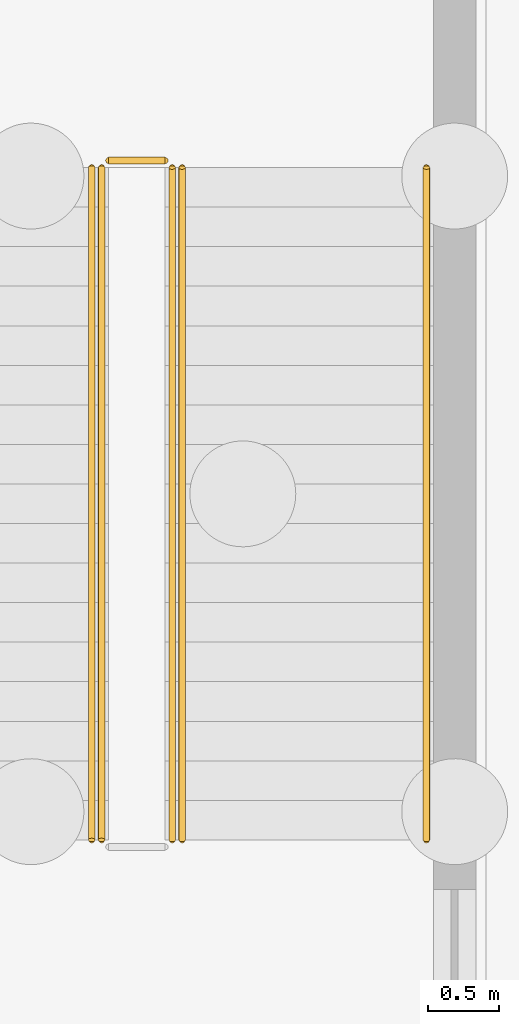
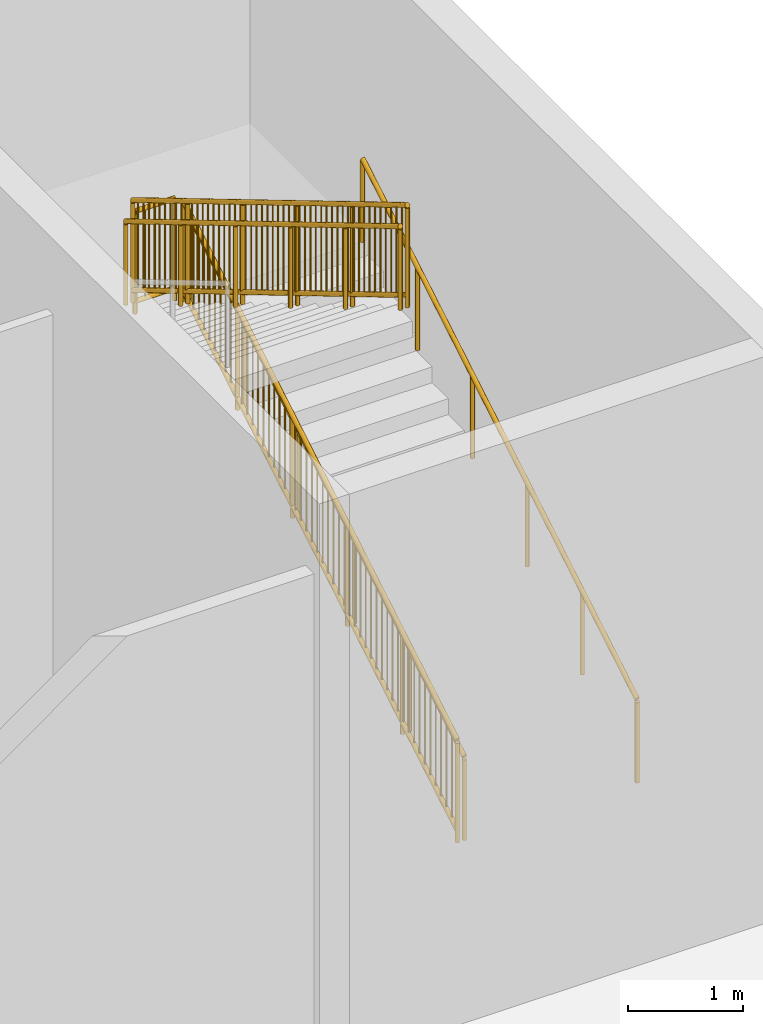
# One storey, part 101 of 106: 6 railings.
"""IFC4 building model written with IfcOpenShell, lengths in metres."""

from ifc_helpers import new_model, si_unit, direction, frame, origin, origin_2d, place, context, subcontext, project, spatial, circle, extrude, material, type_object, element, save


model = new_model("IFC4")

# Units and contexts
model_context = context("Model", 3, precision=1e-05, world=origin(), true_north=direction((0.0, 1.0)))
body_context = subcontext(model_context, "Body", "Model", "MODEL_VIEW")
ifc_project = project(units=[si_unit("LENGTHUNIT", "METRE"), si_unit("AREAUNIT", "SQUARE_METRE"), si_unit("VOLUMEUNIT", "CUBIC_METRE"), si_unit("PLANEANGLEUNIT", "RADIAN"), si_unit("MASSUNIT", "GRAM", prefix="KILO")], contexts=[model_context])

# Site, building, storey
site_placement = place(None, origin())
site = spatial("IfcSite", under=ifc_project, at=site_placement, CompositionType="ELEMENT")
building_placement = place(site_placement, origin())
building = spatial("IfcBuilding", under=site, at=building_placement, Name="Hortulan Conservatory and Botanical Research Centre", CompositionType="ELEMENT")
storey_placement = place(building_placement, origin())
storey = spatial("IfcBuildingStorey", under=building, at=storey_placement, Name="L00", CompositionType="ELEMENT", Elevation=0.0)

# Railings
ifc_material_1 = material(Name="Steel balustrade, bronze-charcoal paint", Category="steel")
railing_type_1 = type_object("IfcRailingType", Name="Stair Guard 1100", PredefinedType="GUARDRAIL", material=ifc_material_1)
railing_1_placement = place(storey_placement, frame((106.0, 65.050048828125, 0.166748046875)))
element("IfcRailing", 1, at=railing_1_placement, inside=storey, type_object=railing_type_1, Name="Guard A3 L00 stair 1", PredefinedType="GUARDRAIL", context=body_context, shape_type="SweptSolid", body=[
    extrude(circle(Radius=0.02392578125, at=origin_2d()), frame((0.0, 0.0, 1.076171875), z_axis=(0.0, 0.859299802514, 0.511472237174), x_axis=(-1.0, 0.0, 0.0)), (0.0, 0.0, 1.0), 5.539306640625),
    extrude(circle(Radius=0.02392578125, at=origin_2d()), frame((0.0, 0.0, 0.1240234375), z_axis=(0.0, 0.859299802514, 0.511472237174), x_axis=(-1.0, 0.0, 0.0)), (0.0, 0.0, 1.0), 5.539306640625),
    extrude(circle(Radius=0.008056640625, at=origin_2d()), frame((0.0, 0.09326171875, 0.203857421875)), (0.0, 0.0, 1.0), 0.90380859375),
    extrude(circle(Radius=0.008056640625, at=origin_2d()), frame((0.0, 0.186767578125, 0.25927734375)), (0.0, 0.0, 1.0), 0.90380859375),
    extrude(circle(Radius=0.008056640625, at=origin_2d()), frame((0.0, 0.280029296875, 0.31494140625)), (0.0, 0.0, 1.0), 0.90380859375),
    extrude(circle(Radius=0.008056640625, at=origin_2d()), frame((0.0, 0.373291015625, 0.370361328125)), (0.0, 0.0, 1.0), 0.90380859375),
    extrude(circle(Radius=0.008056640625, at=origin_2d()), frame((0.0, 0.466552734375, 0.426025390625)), (0.0, 0.0, 1.0), 0.90380859375),
    extrude(circle(Radius=0.008056640625, at=origin_2d()), frame((0.0, 0.56005859375, 0.4814453125)), (0.0, 0.0, 1.0), 0.90380859375),
    extrude(circle(Radius=0.008056640625, at=origin_2d()), frame((0.0, 0.6533203125, 0.537109375)), (0.0, 0.0, 1.0), 0.90380859375),
    extrude(circle(Radius=0.008056640625, at=origin_2d()), frame((0.0, 0.74658203125, 0.592529296875)), (0.0, 0.0, 1.0), 0.90380859375),
    extrude(circle(Radius=0.008056640625, at=origin_2d()), frame((0.0, 0.840087890625, 0.648193359375)), (0.0, 0.0, 1.0), 0.90380859375),
    extrude(circle(Radius=0.008056640625, at=origin_2d()), frame((0.0, 0.933349609375, 0.70361328125)), (0.0, 0.0, 1.0), 0.90380859375),
    extrude(circle(Radius=0.008056640625, at=origin_2d()), frame((0.0, 1.026611328125, 0.75927734375)), (0.0, 0.0, 1.0), 0.90380859375),
    extrude(circle(Radius=0.008056640625, at=origin_2d()), frame((0.0, 1.1201171875, 0.81494140625)), (0.0, 0.0, 1.0), 0.90380859375),
    extrude(circle(Radius=0.008056640625, at=origin_2d()), frame((0.0, 1.21337890625, 0.870361328125)), (0.0, 0.0, 1.0), 0.90380859375),
    extrude(circle(Radius=0.008056640625, at=origin_2d()), frame((0.0, 1.306640625, 0.926025390625)), (0.0, 0.0, 1.0), 0.90380859375),
    extrude(circle(Radius=0.008056640625, at=origin_2d()), frame((0.0, 1.39990234375, 0.9814453125)), (0.0, 0.0, 1.0), 0.90380859375),
    extrude(circle(Radius=0.008056640625, at=origin_2d()), frame((0.0, 1.493408203125, 1.037109375)), (0.0, 0.0, 1.0), 0.90380859375),
    extrude(circle(Radius=0.008056640625, at=origin_2d()), frame((0.0, 1.586669921875, 1.092529296875)), (0.0, 0.0, 1.0), 0.90380859375),
    extrude(circle(Radius=0.008056640625, at=origin_2d()), frame((0.0, 1.679931640625, 1.148193359375)), (0.0, 0.0, 1.0), 0.90380859375),
    extrude(circle(Radius=0.008056640625, at=origin_2d()), frame((0.0, 1.7734375, 1.20361328125)), (0.0, 0.0, 1.0), 0.90380859375),
    extrude(circle(Radius=0.008056640625, at=origin_2d()), frame((0.0, 1.86669921875, 1.25927734375)), (0.0, 0.0, 1.0), 0.90380859375),
    extrude(circle(Radius=0.008056640625, at=origin_2d()), frame((0.0, 1.9599609375, 1.31494140625)), (0.0, 0.0, 1.0), 0.90380859375),
    extrude(circle(Radius=0.008056640625, at=origin_2d()), frame((0.0, 2.05322265625, 1.370361328125)), (0.0, 0.0, 1.0), 0.90380859375),
    extrude(circle(Radius=0.008056640625, at=origin_2d()), frame((0.0, 2.146728515625, 1.426025390625)), (0.0, 0.0, 1.0), 0.90380859375),
    extrude(circle(Radius=0.008056640625, at=origin_2d()), frame((0.0, 2.239990234375, 1.4814453125)), (0.0, 0.0, 1.0), 0.90380859375),
    extrude(circle(Radius=0.008056640625, at=origin_2d()), frame((0.0, 2.333251953125, 1.537109375)), (0.0, 0.0, 1.0), 0.90380859375),
    extrude(circle(Radius=0.008056640625, at=origin_2d()), frame((0.0, 2.4267578125, 1.592529296875)), (0.0, 0.0, 1.0), 0.90380859375),
    extrude(circle(Radius=0.008056640625, at=origin_2d()), frame((0.0, 2.52001953125, 1.648193359375)), (0.0, 0.0, 1.0), 0.90380859375),
    extrude(circle(Radius=0.008056640625, at=origin_2d()), frame((0.0, 2.61328125, 1.70361328125)), (0.0, 0.0, 1.0), 0.90380859375),
    extrude(circle(Radius=0.008056640625, at=origin_2d()), frame((0.0, 2.706787109375, 1.75927734375)), (0.0, 0.0, 1.0), 0.90380859375),
    extrude(circle(Radius=0.008056640625, at=origin_2d()), frame((0.0, 2.800048828125, 1.814697265625)), (0.0, 0.0, 1.0), 0.90380859375),
    extrude(circle(Radius=0.008056640625, at=origin_2d()), frame((0.0, 2.893310546875, 1.870361328125)), (0.0, 0.0, 1.0), 0.90380859375),
    extrude(circle(Radius=0.008056640625, at=origin_2d()), frame((0.0, 2.986572265625, 1.926025390625)), (0.0, 0.0, 1.0), 0.90380859375),
    extrude(circle(Radius=0.008056640625, at=origin_2d()), frame((0.0, 3.080078125, 1.9814453125)), (0.0, 0.0, 1.0), 0.90380859375),
    extrude(circle(Radius=0.008056640625, at=origin_2d()), frame((0.0, 3.17333984375, 2.037109375)), (0.0, 0.0, 1.0), 0.90380859375),
    extrude(circle(Radius=0.008056640625, at=origin_2d()), frame((0.0, 3.2666015625, 2.092529296875)), (0.0, 0.0, 1.0), 0.90380859375),
    extrude(circle(Radius=0.008056640625, at=origin_2d()), frame((0.0, 3.360107421875, 2.148193359375)), (0.0, 0.0, 1.0), 0.90380859375),
    extrude(circle(Radius=0.008056640625, at=origin_2d()), frame((0.0, 3.453369140625, 2.20361328125)), (0.0, 0.0, 1.0), 0.90380859375),
    extrude(circle(Radius=0.008056640625, at=origin_2d()), frame((0.0, 3.546630859375, 2.25927734375)), (0.0, 0.0, 1.0), 0.90380859375),
    extrude(circle(Radius=0.008056640625, at=origin_2d()), frame((0.0, 3.639892578125, 2.314697265625)), (0.0, 0.0, 1.0), 0.90380859375),
    extrude(circle(Radius=0.008056640625, at=origin_2d()), frame((0.0, 3.7333984375, 2.370361328125)), (0.0, 0.0, 1.0), 0.90380859375),
    extrude(circle(Radius=0.008056640625, at=origin_2d()), frame((0.0, 3.82666015625, 2.426025390625)), (0.0, 0.0, 1.0), 0.90380859375),
    extrude(circle(Radius=0.008056640625, at=origin_2d()), frame((0.0, 3.919921875, 2.4814453125)), (0.0, 0.0, 1.0), 0.90380859375),
    extrude(circle(Radius=0.008056640625, at=origin_2d()), frame((0.0, 4.013427734375, 2.537109375)), (0.0, 0.0, 1.0), 0.90380859375),
    extrude(circle(Radius=0.008056640625, at=origin_2d()), frame((0.0, 4.106689453125, 2.592529296875)), (0.0, 0.0, 1.0), 0.90380859375),
    extrude(circle(Radius=0.008056640625, at=origin_2d()), frame((0.0, 4.199951171875, 2.648193359375)), (0.0, 0.0, 1.0), 0.90380859375),
    extrude(circle(Radius=0.008056640625, at=origin_2d()), frame((0.0, 4.29345703125, 2.70361328125)), (0.0, 0.0, 1.0), 0.90380859375),
    extrude(circle(Radius=0.008056640625, at=origin_2d()), frame((0.0, 4.38671875, 2.75927734375)), (0.0, 0.0, 1.0), 0.90380859375),
    extrude(circle(Radius=0.008056640625, at=origin_2d()), frame((0.0, 4.47998046875, 2.814697265625)), (0.0, 0.0, 1.0), 0.90380859375),
    extrude(circle(Radius=0.008056640625, at=origin_2d()), frame((0.0, 4.5732421875, 2.870361328125)), (0.0, 0.0, 1.0), 0.90380859375),
    extrude(circle(Radius=0.008056640625, at=origin_2d()), frame((0.0, 4.666748046875, 2.92578125)), (0.0, 0.0, 1.0), 0.90380859375),
    extrude(circle(Radius=0.02099609375, at=origin_2d()), origin(), (0.0, 0.0, 1.0), 1.052001953125),
    extrude(circle(Radius=0.02099609375, at=origin_2d()), frame((0.0, 0.951904296875, 0.566650390625)), (0.0, 0.0, 1.0), 1.052001953125),
    extrude(circle(Radius=0.02099609375, at=origin_2d()), frame((0.0, 1.904052734375, 1.13330078125)), (0.0, 0.0, 1.0), 1.052001953125),
    extrude(circle(Radius=0.02099609375, at=origin_2d()), frame((0.0, 2.85595703125, 1.699951171875)), (0.0, 0.0, 1.0), 1.052001953125),
    extrude(circle(Radius=0.02099609375, at=origin_2d()), frame((0.0, 3.80810546875, 2.2666015625)), (0.0, 0.0, 1.0), 1.052001953125),
    extrude(circle(Radius=0.02099609375, at=origin_2d()), frame((0.0, 4.760009765625, 2.833251953125)), (0.0, 0.0, 1.0), 1.052001953125),
])
railing_2_placement = place(storey_placement, frame((105.949951171875, 69.860107421875, 3.0)))
element("IfcRailing", 2, at=railing_2_placement, inside=storey, type_object=railing_type_1, Name="Guard A3 L00 stair 2", PredefinedType="GUARDRAIL", context=body_context, shape_type="SweptSolid", body=[
    extrude(circle(Radius=0.02392578125, at=origin_2d()), frame((0.0, 0.0, 1.076171875), z_axis=(-1.0, 0.0, 0.0), x_axis=(0.0, -1.0, 0.0)), (0.0, 0.0, 1.0), 0.39990234375),
    extrude(circle(Radius=0.02392578125, at=origin_2d()), frame((0.0, 0.0, 0.1240234375), z_axis=(-1.0, 0.0, 0.0), x_axis=(0.0, -1.0, 0.0)), (0.0, 0.0, 1.0), 0.39990234375),
    extrude(circle(Radius=0.008056640625, at=origin_2d()), frame((-0.10009765625, 0.0, 0.148193359375)), (0.0, 0.0, 1.0), 0.90380859375),
    extrude(circle(Radius=0.008056640625, at=origin_2d()), frame((-0.199951171875, 0.0, 0.148193359375)), (0.0, 0.0, 1.0), 0.90380859375),
    extrude(circle(Radius=0.008056640625, at=origin_2d()), frame((-0.2998046875, 0.0, 0.148193359375)), (0.0, 0.0, 1.0), 0.90380859375),
    extrude(circle(Radius=0.02099609375, at=origin_2d()), origin(), (0.0, 0.0, 1.0), 1.052001953125),
    extrude(circle(Radius=0.02099609375, at=origin_2d()), frame((-0.39990234375, 0.0, 0.0)), (0.0, 0.0, 1.0), 1.052001953125),
])
railing_3_placement = place(storey_placement, frame((105.5, 69.81005859375, 3.166748046875)))
element("IfcRailing", 3, at=railing_3_placement, inside=storey, type_object=railing_type_1, Name="Guard A3 L00 stair 3", PredefinedType="GUARDRAIL", context=body_context, shape_type="SweptSolid", body=[
    extrude(circle(Radius=0.02392578125, at=origin_2d()), frame((0.0, 0.0, 1.076171875), z_axis=(0.0, -0.859299802514, 0.511472237174), x_axis=(1.0, 0.0, 0.0)), (0.0, 0.0, 1.0), 5.539306640625),
    extrude(circle(Radius=0.02392578125, at=origin_2d()), frame((0.0, 0.0, 0.1240234375), z_axis=(0.0, -0.859299802514, 0.511472237174), x_axis=(1.0, 0.0, 0.0)), (0.0, 0.0, 1.0), 5.539306640625),
    extrude(circle(Radius=0.008056640625, at=origin_2d()), frame((0.0, -0.09326171875, 0.203857421875)), (0.0, 0.0, 1.0), 0.90380859375),
    extrude(circle(Radius=0.008056640625, at=origin_2d()), frame((0.0, -0.186767578125, 0.25927734375)), (0.0, 0.0, 1.0), 0.90380859375),
    extrude(circle(Radius=0.008056640625, at=origin_2d()), frame((0.0, -0.280029296875, 0.31494140625)), (0.0, 0.0, 1.0), 0.90380859375),
    extrude(circle(Radius=0.008056640625, at=origin_2d()), frame((0.0, -0.373291015625, 0.370361328125)), (0.0, 0.0, 1.0), 0.90380859375),
    extrude(circle(Radius=0.008056640625, at=origin_2d()), frame((0.0, -0.466552734375, 0.426025390625)), (0.0, 0.0, 1.0), 0.90380859375),
    extrude(circle(Radius=0.008056640625, at=origin_2d()), frame((0.0, -0.56005859375, 0.4814453125)), (0.0, 0.0, 1.0), 0.90380859375),
    extrude(circle(Radius=0.008056640625, at=origin_2d()), frame((0.0, -0.6533203125, 0.537109375)), (0.0, 0.0, 1.0), 0.90380859375),
    extrude(circle(Radius=0.008056640625, at=origin_2d()), frame((0.0, -0.74658203125, 0.592529296875)), (0.0, 0.0, 1.0), 0.90380859375),
    extrude(circle(Radius=0.008056640625, at=origin_2d()), frame((0.0, -0.840087890625, 0.648193359375)), (0.0, 0.0, 1.0), 0.90380859375),
    extrude(circle(Radius=0.008056640625, at=origin_2d()), frame((0.0, -0.933349609375, 0.70361328125)), (0.0, 0.0, 1.0), 0.90380859375),
    extrude(circle(Radius=0.008056640625, at=origin_2d()), frame((0.0, -1.026611328125, 0.75927734375)), (0.0, 0.0, 1.0), 0.90380859375),
    extrude(circle(Radius=0.008056640625, at=origin_2d()), frame((0.0, -1.1201171875, 0.81494140625)), (0.0, 0.0, 1.0), 0.90380859375),
    extrude(circle(Radius=0.008056640625, at=origin_2d()), frame((0.0, -1.21337890625, 0.870361328125)), (0.0, 0.0, 1.0), 0.90380859375),
    extrude(circle(Radius=0.008056640625, at=origin_2d()), frame((0.0, -1.306640625, 0.926025390625)), (0.0, 0.0, 1.0), 0.90380859375),
    extrude(circle(Radius=0.008056640625, at=origin_2d()), frame((0.0, -1.39990234375, 0.9814453125)), (0.0, 0.0, 1.0), 0.90380859375),
    extrude(circle(Radius=0.008056640625, at=origin_2d()), frame((0.0, -1.493408203125, 1.037109375)), (0.0, 0.0, 1.0), 0.90380859375),
    extrude(circle(Radius=0.008056640625, at=origin_2d()), frame((0.0, -1.586669921875, 1.092529296875)), (0.0, 0.0, 1.0), 0.90380859375),
    extrude(circle(Radius=0.008056640625, at=origin_2d()), frame((0.0, -1.679931640625, 1.148193359375)), (0.0, 0.0, 1.0), 0.90380859375),
    extrude(circle(Radius=0.008056640625, at=origin_2d()), frame((0.0, -1.7734375, 1.20361328125)), (0.0, 0.0, 1.0), 0.90380859375),
    extrude(circle(Radius=0.008056640625, at=origin_2d()), frame((0.0, -1.86669921875, 1.25927734375)), (0.0, 0.0, 1.0), 0.90380859375),
    extrude(circle(Radius=0.008056640625, at=origin_2d()), frame((0.0, -1.9599609375, 1.31494140625)), (0.0, 0.0, 1.0), 0.90380859375),
    extrude(circle(Radius=0.008056640625, at=origin_2d()), frame((0.0, -2.05322265625, 1.370361328125)), (0.0, 0.0, 1.0), 0.90380859375),
    extrude(circle(Radius=0.008056640625, at=origin_2d()), frame((0.0, -2.146728515625, 1.426025390625)), (0.0, 0.0, 1.0), 0.90380859375),
    extrude(circle(Radius=0.008056640625, at=origin_2d()), frame((0.0, -2.239990234375, 1.4814453125)), (0.0, 0.0, 1.0), 0.90380859375),
    extrude(circle(Radius=0.008056640625, at=origin_2d()), frame((0.0, -2.333251953125, 1.537109375)), (0.0, 0.0, 1.0), 0.90380859375),
    extrude(circle(Radius=0.008056640625, at=origin_2d()), frame((0.0, -2.4267578125, 1.592529296875)), (0.0, 0.0, 1.0), 0.90380859375),
    extrude(circle(Radius=0.008056640625, at=origin_2d()), frame((0.0, -2.52001953125, 1.648193359375)), (0.0, 0.0, 1.0), 0.90380859375),
    extrude(circle(Radius=0.008056640625, at=origin_2d()), frame((0.0, -2.61328125, 1.70361328125)), (0.0, 0.0, 1.0), 0.90380859375),
    extrude(circle(Radius=0.008056640625, at=origin_2d()), frame((0.0, -2.706787109375, 1.75927734375)), (0.0, 0.0, 1.0), 0.90380859375),
    extrude(circle(Radius=0.008056640625, at=origin_2d()), frame((0.0, -2.800048828125, 1.814697265625)), (0.0, 0.0, 1.0), 0.90380859375),
    extrude(circle(Radius=0.008056640625, at=origin_2d()), frame((0.0, -2.893310546875, 1.870361328125)), (0.0, 0.0, 1.0), 0.90380859375),
    extrude(circle(Radius=0.008056640625, at=origin_2d()), frame((0.0, -2.986572265625, 1.926025390625)), (0.0, 0.0, 1.0), 0.90380859375),
    extrude(circle(Radius=0.008056640625, at=origin_2d()), frame((0.0, -3.080078125, 1.9814453125)), (0.0, 0.0, 1.0), 0.90380859375),
    extrude(circle(Radius=0.008056640625, at=origin_2d()), frame((0.0, -3.17333984375, 2.037109375)), (0.0, 0.0, 1.0), 0.90380859375),
    extrude(circle(Radius=0.008056640625, at=origin_2d()), frame((0.0, -3.2666015625, 2.092529296875)), (0.0, 0.0, 1.0), 0.90380859375),
    extrude(circle(Radius=0.008056640625, at=origin_2d()), frame((0.0, -3.360107421875, 2.148193359375)), (0.0, 0.0, 1.0), 0.90380859375),
    extrude(circle(Radius=0.008056640625, at=origin_2d()), frame((0.0, -3.453369140625, 2.20361328125)), (0.0, 0.0, 1.0), 0.90380859375),
    extrude(circle(Radius=0.008056640625, at=origin_2d()), frame((0.0, -3.546630859375, 2.25927734375)), (0.0, 0.0, 1.0), 0.90380859375),
    extrude(circle(Radius=0.008056640625, at=origin_2d()), frame((0.0, -3.639892578125, 2.314697265625)), (0.0, 0.0, 1.0), 0.90380859375),
    extrude(circle(Radius=0.008056640625, at=origin_2d()), frame((0.0, -3.7333984375, 2.370361328125)), (0.0, 0.0, 1.0), 0.90380859375),
    extrude(circle(Radius=0.008056640625, at=origin_2d()), frame((0.0, -3.82666015625, 2.426025390625)), (0.0, 0.0, 1.0), 0.90380859375),
    extrude(circle(Radius=0.008056640625, at=origin_2d()), frame((0.0, -3.919921875, 2.4814453125)), (0.0, 0.0, 1.0), 0.90380859375),
    extrude(circle(Radius=0.008056640625, at=origin_2d()), frame((0.0, -4.013427734375, 2.537109375)), (0.0, 0.0, 1.0), 0.90380859375),
    extrude(circle(Radius=0.008056640625, at=origin_2d()), frame((0.0, -4.106689453125, 2.592529296875)), (0.0, 0.0, 1.0), 0.90380859375),
    extrude(circle(Radius=0.008056640625, at=origin_2d()), frame((0.0, -4.199951171875, 2.648193359375)), (0.0, 0.0, 1.0), 0.90380859375),
    extrude(circle(Radius=0.008056640625, at=origin_2d()), frame((0.0, -4.29345703125, 2.70361328125)), (0.0, 0.0, 1.0), 0.90380859375),
    extrude(circle(Radius=0.008056640625, at=origin_2d()), frame((0.0, -4.38671875, 2.75927734375)), (0.0, 0.0, 1.0), 0.90380859375),
    extrude(circle(Radius=0.008056640625, at=origin_2d()), frame((0.0, -4.47998046875, 2.814697265625)), (0.0, 0.0, 1.0), 0.90380859375),
    extrude(circle(Radius=0.008056640625, at=origin_2d()), frame((0.0, -4.5732421875, 2.870361328125)), (0.0, 0.0, 1.0), 0.90380859375),
    extrude(circle(Radius=0.008056640625, at=origin_2d()), frame((0.0, -4.666748046875, 2.92578125)), (0.0, 0.0, 1.0), 0.90380859375),
    extrude(circle(Radius=0.02099609375, at=origin_2d()), origin(), (0.0, 0.0, 1.0), 1.052001953125),
    extrude(circle(Radius=0.02099609375, at=origin_2d()), frame((0.0, -0.951904296875, 0.566650390625)), (0.0, 0.0, 1.0), 1.052001953125),
    extrude(circle(Radius=0.02099609375, at=origin_2d()), frame((0.0, -1.904052734375, 1.13330078125)), (0.0, 0.0, 1.0), 1.052001953125),
    extrude(circle(Radius=0.02099609375, at=origin_2d()), frame((0.0, -2.85595703125, 1.699951171875)), (0.0, 0.0, 1.0), 1.052001953125),
    extrude(circle(Radius=0.02099609375, at=origin_2d()), frame((0.0, -3.80810546875, 2.2666015625)), (0.0, 0.0, 1.0), 1.052001953125),
    extrude(circle(Radius=0.02099609375, at=origin_2d()), frame((0.0, -4.760009765625, 2.833251953125)), (0.0, 0.0, 1.0), 1.052001953125),
])
ifc_material_2 = material(Name="Bronze handrail, polished", Category="metal")
railing_type_2 = type_object("IfcRailingType", Name="Stair Handrail 900", PredefinedType="HANDRAIL", material=ifc_material_2)
for number, where, name in (
    (4, (107.800048828125, 65.050048828125, 0.166748046875), "Handrail A3 L00 stair 1"),
    (5, (106.070068359375, 65.050048828125, 0.166748046875), "Handrail A3 L00 stair 3"),
):
    element("IfcRailing", number, at=place(storey_placement, frame(where)), inside=storey, type_object=railing_type_2, Name=name, PredefinedType="HANDRAIL", context=body_context, shape_type="SweptSolid", body=[
        extrude(circle(Radius=0.02392578125, at=origin_2d()), frame((0.0, 0.0, 0.8759765625), z_axis=(0.0, 0.859299802514, 0.511472237174), x_axis=(-1.0, 0.0, 0.0)), (0.0, 0.0, 1.0), 5.539306640625),
        extrude(circle(Radius=0.02099609375, at=origin_2d()), origin(), (0.0, 0.0, 1.0), 0.851806640625),
        extrude(circle(Radius=0.02099609375, at=origin_2d()), frame((0.0, 0.951904296875, 0.566650390625)), (0.0, 0.0, 1.0), 0.851806640625),
        extrude(circle(Radius=0.02099609375, at=origin_2d()), frame((0.0, 1.904052734375, 1.13330078125)), (0.0, 0.0, 1.0), 0.851806640625),
        extrude(circle(Radius=0.02099609375, at=origin_2d()), frame((0.0, 2.85595703125, 1.699951171875)), (0.0, 0.0, 1.0), 0.851806640625),
        extrude(circle(Radius=0.02099609375, at=origin_2d()), frame((0.0, 3.80810546875, 2.2666015625)), (0.0, 0.0, 1.0), 0.851806640625),
        extrude(circle(Radius=0.02099609375, at=origin_2d()), frame((0.0, 4.760009765625, 2.833251953125)), (0.0, 0.0, 1.0), 0.851806640625),
    ])
railing_4_placement = place(storey_placement, frame((105.429931640625, 69.81005859375, 3.166748046875)))
element("IfcRailing", 6, at=railing_4_placement, inside=storey, type_object=railing_type_2, Name="Handrail A3 L00 stair 4", PredefinedType="HANDRAIL", context=body_context, shape_type="SweptSolid", body=[
    extrude(circle(Radius=0.02392578125, at=origin_2d()), frame((0.0, 0.0, 0.8759765625), z_axis=(0.0, -0.859299802514, 0.511472237174), x_axis=(1.0, 0.0, 0.0)), (0.0, 0.0, 1.0), 5.539306640625),
    extrude(circle(Radius=0.02099609375, at=origin_2d()), origin(), (0.0, 0.0, 1.0), 0.851806640625),
    extrude(circle(Radius=0.02099609375, at=origin_2d()), frame((0.0, -0.951904296875, 0.566650390625)), (0.0, 0.0, 1.0), 0.851806640625),
    extrude(circle(Radius=0.02099609375, at=origin_2d()), frame((0.0, -1.904052734375, 1.13330078125)), (0.0, 0.0, 1.0), 0.851806640625),
    extrude(circle(Radius=0.02099609375, at=origin_2d()), frame((0.0, -2.85595703125, 1.699951171875)), (0.0, 0.0, 1.0), 0.851806640625),
    extrude(circle(Radius=0.02099609375, at=origin_2d()), frame((0.0, -3.80810546875, 2.2666015625)), (0.0, 0.0, 1.0), 0.851806640625),
    extrude(circle(Radius=0.02099609375, at=origin_2d()), frame((0.0, -4.760009765625, 2.833251953125)), (0.0, 0.0, 1.0), 0.851806640625),
])

save(model, "model.ifc")
